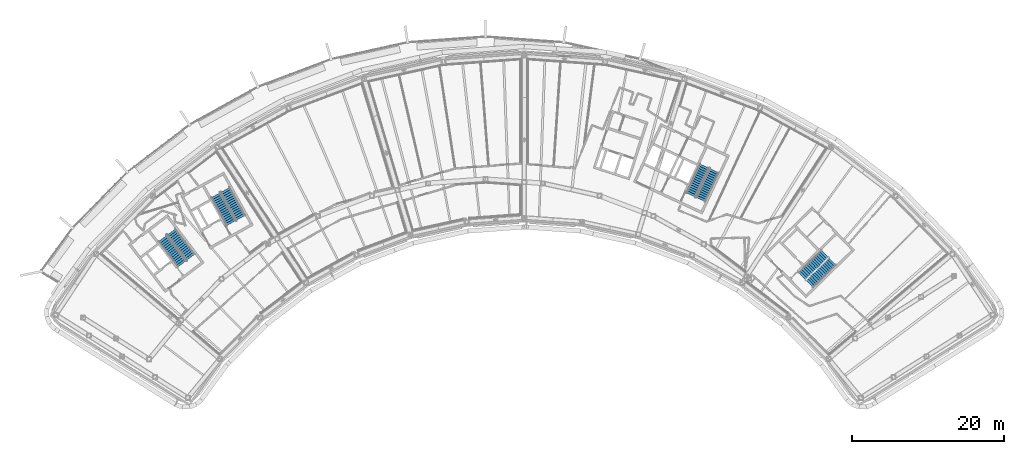
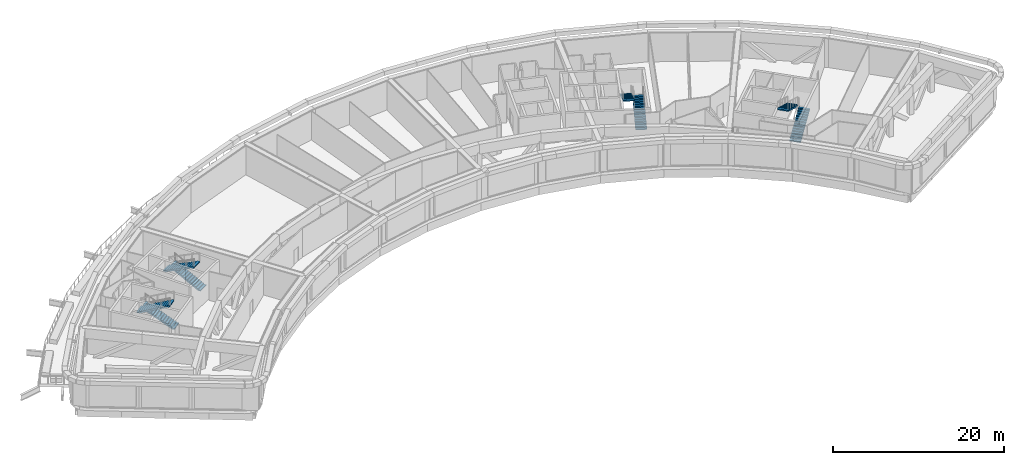
# One storey, part 12 of 24: 8 stair flights, 4 elements without a shape of their own.
"""IFC4 building model written with IfcOpenShell, lengths in metres."""

from ifc_helpers import new_model, si_unit, direction, frame, origin, place, context, subcontext, project, spatial, polyline, outline, extrude, material, type_object, element, aggregate, save


model = new_model("IFC4")

# Units and contexts
model_context = context("Model", 3, precision=1e-05, world=origin(), true_north=direction((0.0, 1.0)))
body_context = subcontext(model_context, "Body", "Model", "MODEL_VIEW")
ifc_project = project(units=[si_unit("LENGTHUNIT", "METRE"), si_unit("AREAUNIT", "SQUARE_METRE"), si_unit("VOLUMEUNIT", "CUBIC_METRE"), si_unit("PLANEANGLEUNIT", "RADIAN"), si_unit("MASSUNIT", "GRAM", prefix="KILO")], contexts=[model_context])

# Site, building, storey
site_placement = place(None, origin())
site = spatial("IfcSite", under=ifc_project, at=site_placement, CompositionType="ELEMENT")
building_placement = place(site_placement, origin())
building = spatial("IfcBuilding", under=site, at=building_placement, Name="Tuul Gate Civic Tower", CompositionType="ELEMENT")
storey_placement = place(building_placement, frame((0.0, 0.0, 243.89990234375)))
storey = spatial("IfcBuildingStorey", under=building, at=storey_placement, Name="Plant and refuge floor 6", CompositionType="ELEMENT", Elevation=243.89990234375)

# Stair, stair flights
ifc_material_1 = material(Name="Concrete C40/50", Category="concrete")
stair_type = type_object("IfcStairType", Name="Exit stair", PredefinedType="HALF_TURN_STAIR", material=ifc_material_1)
stair_1_placement = place(storey_placement, origin())
stair_1 = element("IfcStair", 1, at=stair_1_placement, inside=storey, type_object=stair_type, Name="Plant and refuge floor 6 ST-1", PredefinedType="HALF_TURN_STAIR")
ifc_material_2 = material(Name="Concrete C40/50", Category="concrete")
stair_flight_type = type_object("IfcStairFlightType", Name="Exit stair flight", PredefinedType="STRAIGHT", material=ifc_material_2)
stair_flight_1_placement = place(storey_placement, frame((-32.875244140625, -13.066650390625, 0.0), z_axis=(0.0, 0.0, 1.0), x_axis=(-0.605764474941, 0.795644016442, 0.0)))
stair_flight_1 = element("IfcStairFlight", 2, at=stair_flight_1_placement, type_object=stair_flight_type, Name="ST-1 flight 1", NumberOfRisers=15, NumberOfTreads=14, PredefinedType="STRAIGHT", RiserHeight=0.15, TreadLength=0.3, context=body_context, shape_type="SweptSolid", body=[
    extrude(outline(polyline([(0.0, 0.0), (0.0, 0.14990234375), (0.300048828125, 0.14990234375), (0.300048828125, 0.300048828125), (0.60009765625, 0.300048828125), (0.60009765625, 0.449951171875), (0.89990234375, 0.449951171875), (0.89990234375, 0.60009765625), (1.199951171875, 0.60009765625), (1.199951171875, 0.75), (1.5, 0.75), (1.5, 0.89990234375), (1.800048828125, 0.89990234375), (1.800048828125, 1.050048828125), (2.10009765625, 1.050048828125), (2.10009765625, 1.199951171875), (2.39990234375, 1.199951171875), (2.39990234375, 1.35009765625), (2.699951171875, 1.35009765625), (2.699951171875, 1.5), (3.0, 1.5), (3.0, 1.64990234375), (3.300048828125, 1.64990234375), (3.300048828125, 1.800048828125), (3.60009765625, 1.800048828125), (3.60009765625, 1.949951171875), (3.89990234375, 1.949951171875), (3.89990234375, 2.10009765625), (4.199951171875, 2.10009765625), (4.199951171875, 2.25), (4.199951171875, 1.932373046875), (0.335205078125, 0.0), (0.0, 0.0)])), frame((0.0, 0.675048828125, 0.0), z_axis=(0.0, -1.0, 0.0), x_axis=(1.0, 0.0, 0.0)), (0.0, 0.0, 1.0), 1.35009765625),
])
stair_flight_2_placement = place(storey_placement, frame((-36.5732421875, -10.603515625, 2.25), z_axis=(0.0, 0.0, 1.0), x_axis=(0.605764474941, -0.795644016442, 0.0)))
stair_flight_2 = element("IfcStairFlight", 3, at=stair_flight_2_placement, type_object=stair_flight_type, Name="ST-1 flight 2", NumberOfRisers=15, NumberOfTreads=14, PredefinedType="STRAIGHT", RiserHeight=0.15, TreadLength=0.3, context=body_context, shape_type="SweptSolid", body=[
    extrude(outline(polyline([(0.0, 0.0), (0.0, 0.14990234375), (0.300048828125, 0.14990234375), (0.300048828125, 0.300048828125), (0.60009765625, 0.300048828125), (0.60009765625, 0.449951171875), (0.89990234375, 0.449951171875), (0.89990234375, 0.60009765625), (1.199951171875, 0.60009765625), (1.199951171875, 0.75), (1.5, 0.75), (1.5, 0.89990234375), (1.800048828125, 0.89990234375), (1.800048828125, 1.050048828125), (2.10009765625, 1.050048828125), (2.10009765625, 1.199951171875), (2.39990234375, 1.199951171875), (2.39990234375, 1.35009765625), (2.699951171875, 1.35009765625), (2.699951171875, 1.5), (3.0, 1.5), (3.0, 1.64990234375), (3.300048828125, 1.64990234375), (3.300048828125, 1.800048828125), (3.60009765625, 1.800048828125), (3.60009765625, 1.949951171875), (3.89990234375, 1.949951171875), (3.89990234375, 2.10009765625), (4.199951171875, 2.10009765625), (4.199951171875, 2.25), (4.199951171875, 1.932373046875), (0.335205078125, 0.0), (0.0, 0.0)])), frame((0.0, 0.675048828125, 0.0), z_axis=(0.0, -1.0, 0.0), x_axis=(1.0, 0.0, 0.0)), (0.0, 0.0, 1.0), 1.35009765625),
])
aggregate(stair_1, [stair_flight_1, stair_flight_2])

stair_2_placement = place(storey_placement, origin())
stair_2 = element("IfcStair", 4, at=stair_2_placement, inside=storey, type_object=stair_type, Name="Plant and refuge floor 6 ST-2", PredefinedType="HALF_TURN_STAIR")
stair_flight_3_placement = place(storey_placement, frame((-26.29150390625, -7.87646484375, 0.0), z_axis=(0.0, 0.0, 1.0), x_axis=(-0.484761763766, 0.874646232708, 0.0)))
stair_flight_3 = element("IfcStairFlight", 5, at=stair_flight_3_placement, type_object=stair_flight_type, Name="ST-2 flight 1", NumberOfRisers=15, NumberOfTreads=14, PredefinedType="STRAIGHT", RiserHeight=0.15, TreadLength=0.3, context=body_context, shape_type="SweptSolid", body=[
    extrude(outline(polyline([(0.0, 0.0), (0.0, 0.14990234375), (0.300048828125, 0.14990234375), (0.300048828125, 0.300048828125), (0.60009765625, 0.300048828125), (0.60009765625, 0.449951171875), (0.89990234375, 0.449951171875), (0.89990234375, 0.60009765625), (1.199951171875, 0.60009765625), (1.199951171875, 0.75), (1.5, 0.75), (1.5, 0.89990234375), (1.800048828125, 0.89990234375), (1.800048828125, 1.050048828125), (2.10009765625, 1.050048828125), (2.10009765625, 1.199951171875), (2.39990234375, 1.199951171875), (2.39990234375, 1.35009765625), (2.699951171875, 1.35009765625), (2.699951171875, 1.5), (3.0, 1.5), (3.0, 1.64990234375), (3.300048828125, 1.64990234375), (3.300048828125, 1.800048828125), (3.60009765625, 1.800048828125), (3.60009765625, 1.949951171875), (3.89990234375, 1.949951171875), (3.89990234375, 2.10009765625), (4.199951171875, 2.10009765625), (4.199951171875, 2.25), (4.199951171875, 1.932373046875), (0.335205078125, 0.0), (0.0, 0.0)])), frame((0.0, 0.675048828125, 0.0), z_axis=(0.0, -1.0, 0.0), x_axis=(1.0, 0.0, 0.0)), (0.0, 0.0, 1.0), 1.35009765625),
])
stair_flight_4_placement = place(storey_placement, frame((-29.595947265625, -4.90576171875, 2.25), z_axis=(0.0, 0.0, 1.0), x_axis=(0.484761763766, -0.874646232708, 0.0)))
stair_flight_4 = element("IfcStairFlight", 6, at=stair_flight_4_placement, type_object=stair_flight_type, Name="ST-2 flight 2", NumberOfRisers=15, NumberOfTreads=14, PredefinedType="STRAIGHT", RiserHeight=0.15, TreadLength=0.3, context=body_context, shape_type="SweptSolid", body=[
    extrude(outline(polyline([(0.0, 0.0), (0.0, 0.14990234375), (0.300048828125, 0.14990234375), (0.300048828125, 0.300048828125), (0.60009765625, 0.300048828125), (0.60009765625, 0.449951171875), (0.89990234375, 0.449951171875), (0.89990234375, 0.60009765625), (1.199951171875, 0.60009765625), (1.199951171875, 0.75), (1.5, 0.75), (1.5, 0.89990234375), (1.800048828125, 0.89990234375), (1.800048828125, 1.050048828125), (2.10009765625, 1.050048828125), (2.10009765625, 1.199951171875), (2.39990234375, 1.199951171875), (2.39990234375, 1.35009765625), (2.699951171875, 1.35009765625), (2.699951171875, 1.5), (3.0, 1.5), (3.0, 1.64990234375), (3.300048828125, 1.64990234375), (3.300048828125, 1.800048828125), (3.60009765625, 1.800048828125), (3.60009765625, 1.949951171875), (3.89990234375, 1.949951171875), (3.89990234375, 2.10009765625), (4.199951171875, 2.10009765625), (4.199951171875, 2.25), (4.199951171875, 1.932373046875), (0.335205078125, 0.0), (0.0, 0.0)])), frame((0.0, 0.675048828125, 0.0), z_axis=(0.0, -1.0, 0.0), x_axis=(1.0, 0.0, 0.0)), (0.0, 0.0, 1.0), 1.35009765625),
])
aggregate(stair_2, [stair_flight_3, stair_flight_4])

stair_3_placement = place(storey_placement, origin())
stair_3 = element("IfcStair", 7, at=stair_3_placement, inside=storey, type_object=stair_type, Name="Plant and refuge floor 6 ST-3", PredefinedType="HALF_TURN_STAIR")
stair_flight_5_placement = place(storey_placement, frame((48.61376953125, -16.581787109375, 0.0), z_axis=(0.0, 0.0, 1.0), x_axis=(0.714127290059, 0.700015866672, 0.0)))
stair_flight_5 = element("IfcStairFlight", 8, at=stair_flight_5_placement, type_object=stair_flight_type, Name="ST-3 flight 1", NumberOfRisers=15, NumberOfTreads=14, PredefinedType="STRAIGHT", RiserHeight=0.15, TreadLength=0.3, context=body_context, shape_type="SweptSolid", body=[
    extrude(outline(polyline([(0.0, 0.0), (0.0, 0.14990234375), (0.300048828125, 0.14990234375), (0.300048828125, 0.300048828125), (0.60009765625, 0.300048828125), (0.60009765625, 0.449951171875), (0.89990234375, 0.449951171875), (0.89990234375, 0.60009765625), (1.199951171875, 0.60009765625), (1.199951171875, 0.75), (1.5, 0.75), (1.5, 0.89990234375), (1.800048828125, 0.89990234375), (1.800048828125, 1.050048828125), (2.10009765625, 1.050048828125), (2.10009765625, 1.199951171875), (2.39990234375, 1.199951171875), (2.39990234375, 1.35009765625), (2.699951171875, 1.35009765625), (2.699951171875, 1.5), (3.0, 1.5), (3.0, 1.64990234375), (3.300048828125, 1.64990234375), (3.300048828125, 1.800048828125), (3.60009765625, 1.800048828125), (3.60009765625, 1.949951171875), (3.89990234375, 1.949951171875), (3.89990234375, 2.10009765625), (4.199951171875, 2.10009765625), (4.199951171875, 2.25), (4.199951171875, 1.932373046875), (0.335205078125, 0.0), (0.0, 0.0)])), frame((0.0, 0.675048828125, 0.0), z_axis=(0.0, -1.0, 0.0), x_axis=(1.0, 0.0, 0.0)), (0.0, 0.0, 1.0), 1.35009765625),
])
stair_flight_6_placement = place(storey_placement, frame((50.59814453125, -12.606201171875, 2.25), z_axis=(0.0, 0.0, 1.0), x_axis=(-0.714127290059, -0.700015866672, 0.0)))
stair_flight_6 = element("IfcStairFlight", 9, at=stair_flight_6_placement, type_object=stair_flight_type, Name="ST-3 flight 2", NumberOfRisers=15, NumberOfTreads=14, PredefinedType="STRAIGHT", RiserHeight=0.15, TreadLength=0.3, context=body_context, shape_type="SweptSolid", body=[
    extrude(outline(polyline([(0.0, 0.0), (0.0, 0.14990234375), (0.300048828125, 0.14990234375), (0.300048828125, 0.300048828125), (0.60009765625, 0.300048828125), (0.60009765625, 0.449951171875), (0.89990234375, 0.449951171875), (0.89990234375, 0.60009765625), (1.199951171875, 0.60009765625), (1.199951171875, 0.75), (1.5, 0.75), (1.5, 0.89990234375), (1.800048828125, 0.89990234375), (1.800048828125, 1.050048828125), (2.10009765625, 1.050048828125), (2.10009765625, 1.199951171875), (2.39990234375, 1.199951171875), (2.39990234375, 1.35009765625), (2.699951171875, 1.35009765625), (2.699951171875, 1.5), (3.0, 1.5), (3.0, 1.64990234375), (3.300048828125, 1.64990234375), (3.300048828125, 1.800048828125), (3.60009765625, 1.800048828125), (3.60009765625, 1.949951171875), (3.89990234375, 1.949951171875), (3.89990234375, 2.10009765625), (4.199951171875, 2.10009765625), (4.199951171875, 2.25), (4.199951171875, 1.932373046875), (0.335205078125, 0.0), (0.0, 0.0)])), frame((0.0, 0.675048828125, 0.0), z_axis=(0.0, -1.0, 0.0), x_axis=(1.0, 0.0, 0.0)), (0.0, 0.0, 1.0), 1.35009765625),
])
aggregate(stair_3, [stair_flight_5, stair_flight_6])

stair_4_placement = place(storey_placement, origin())
stair_4 = element("IfcStair", 10, at=stair_4_placement, inside=storey, type_object=stair_type, Name="Plant and refuge floor 6 ST-4", PredefinedType="HALF_TURN_STAIR")
stair_flight_7_placement = place(storey_placement, frame((34.278564453125, -5.478515625, 0.0), z_axis=(0.0, 0.0, 1.0), x_axis=(0.422576295988, 0.906327354806, 0.0)))
stair_flight_7 = element("IfcStairFlight", 11, at=stair_flight_7_placement, type_object=stair_flight_type, Name="ST-4 flight 1", NumberOfRisers=15, NumberOfTreads=14, PredefinedType="STRAIGHT", RiserHeight=0.15, TreadLength=0.3, context=body_context, shape_type="SweptSolid", body=[
    extrude(outline(polyline([(0.0, 0.0), (0.0, 0.14990234375), (0.300048828125, 0.14990234375), (0.300048828125, 0.300048828125), (0.60009765625, 0.300048828125), (0.60009765625, 0.449951171875), (0.89990234375, 0.449951171875), (0.89990234375, 0.60009765625), (1.199951171875, 0.60009765625), (1.199951171875, 0.75), (1.5, 0.75), (1.5, 0.89990234375), (1.800048828125, 0.89990234375), (1.800048828125, 1.050048828125), (2.10009765625, 1.050048828125), (2.10009765625, 1.199951171875), (2.39990234375, 1.199951171875), (2.39990234375, 1.35009765625), (2.699951171875, 1.35009765625), (2.699951171875, 1.5), (3.0, 1.5), (3.0, 1.64990234375), (3.300048828125, 1.64990234375), (3.300048828125, 1.800048828125), (3.60009765625, 1.800048828125), (3.60009765625, 1.949951171875), (3.89990234375, 1.949951171875), (3.89990234375, 2.10009765625), (4.199951171875, 2.10009765625), (4.199951171875, 2.25), (4.199951171875, 1.932373046875), (0.335205078125, 0.0), (0.0, 0.0)])), frame((0.0, 0.675048828125, 0.0), z_axis=(0.0, -1.0, 0.0), x_axis=(1.0, 0.0, 0.0)), (0.0, 0.0, 1.0), 1.35009765625),
])
stair_flight_8_placement = place(storey_placement, frame((34.7392578125, -1.059326171875, 2.25), z_axis=(0.0, 0.0, 1.0), x_axis=(-0.422576295988, -0.906327354806, 0.0)))
stair_flight_8 = element("IfcStairFlight", 12, at=stair_flight_8_placement, type_object=stair_flight_type, Name="ST-4 flight 2", NumberOfRisers=15, NumberOfTreads=14, PredefinedType="STRAIGHT", RiserHeight=0.15, TreadLength=0.3, context=body_context, shape_type="SweptSolid", body=[
    extrude(outline(polyline([(0.0, 0.0), (0.0, 0.14990234375), (0.300048828125, 0.14990234375), (0.300048828125, 0.300048828125), (0.60009765625, 0.300048828125), (0.60009765625, 0.449951171875), (0.89990234375, 0.449951171875), (0.89990234375, 0.60009765625), (1.199951171875, 0.60009765625), (1.199951171875, 0.75), (1.5, 0.75), (1.5, 0.89990234375), (1.800048828125, 0.89990234375), (1.800048828125, 1.050048828125), (2.10009765625, 1.050048828125), (2.10009765625, 1.199951171875), (2.39990234375, 1.199951171875), (2.39990234375, 1.35009765625), (2.699951171875, 1.35009765625), (2.699951171875, 1.5), (3.0, 1.5), (3.0, 1.64990234375), (3.300048828125, 1.64990234375), (3.300048828125, 1.800048828125), (3.60009765625, 1.800048828125), (3.60009765625, 1.949951171875), (3.89990234375, 1.949951171875), (3.89990234375, 2.10009765625), (4.199951171875, 2.10009765625), (4.199951171875, 2.25), (4.199951171875, 1.932373046875), (0.335205078125, 0.0), (0.0, 0.0)])), frame((0.0, 0.675048828125, 0.0), z_axis=(0.0, -1.0, 0.0), x_axis=(1.0, 0.0, 0.0)), (0.0, 0.0, 1.0), 1.35009765625),
])
aggregate(stair_4, [stair_flight_7, stair_flight_8])

save(model, "model.ifc")
